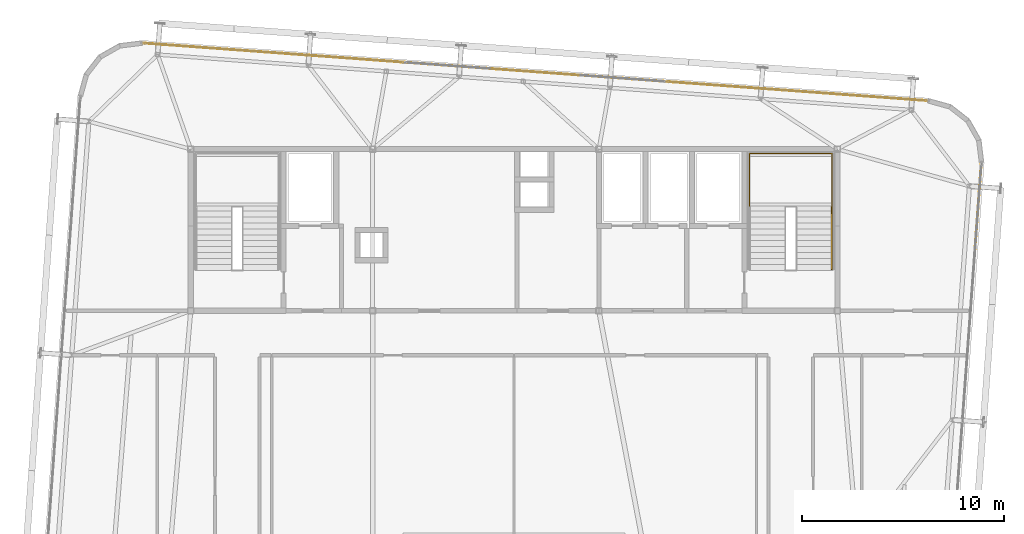
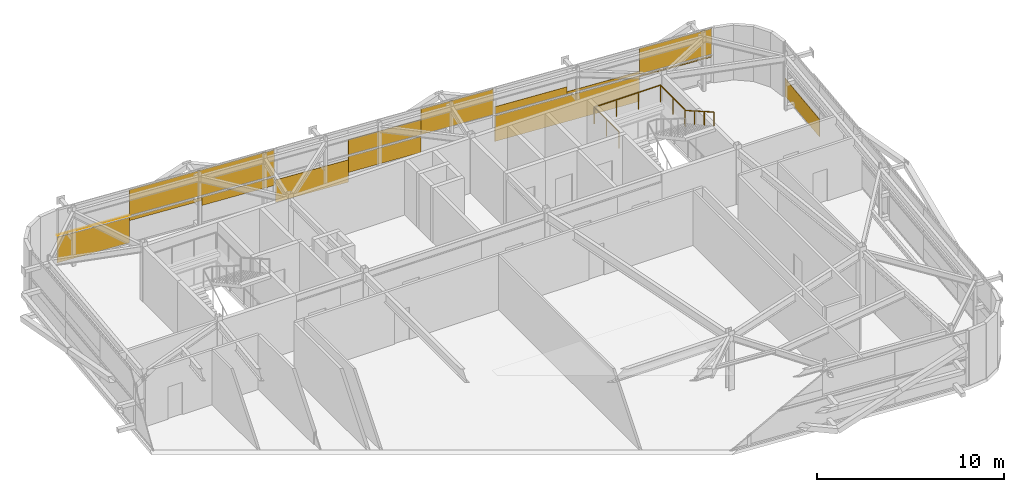
# One storey, part 35 of 35: 15 coverings, 2 railings.
"""IFC4 building model written with IfcOpenShell, lengths in metres."""

from ifc_helpers import new_model, si_unit, direction, frame, origin, origin_2d, place, context, subcontext, project, spatial, rectangle, extrude, source, transform, mapped, material, layer, layer_set, type_object, element, save


model = new_model("IFC4")

# Units and contexts
model_context = context("Model", 3, precision=1e-05, world=origin(), true_north=direction((0.0, 1.0)))
body_context = subcontext(model_context, "Body", "Model", "MODEL_VIEW")
ifc_project = project(units=[si_unit("LENGTHUNIT", "METRE"), si_unit("AREAUNIT", "SQUARE_METRE"), si_unit("VOLUMEUNIT", "CUBIC_METRE"), si_unit("PLANEANGLEUNIT", "RADIAN"), si_unit("MASSUNIT", "GRAM", prefix="KILO")], contexts=[model_context])

# Site, building, storey
site_placement = place(None, origin())
site = spatial("IfcSite", under=ifc_project, at=site_placement, CompositionType="ELEMENT")
building_placement = place(site_placement, origin())
building = spatial("IfcBuilding", under=site, at=building_placement, Name="Taldren Reach Tower", CompositionType="ELEMENT")
storey_placement = place(building_placement, frame((0.0, 0.0, 249.199951171875)))
storey = spatial("IfcBuildingStorey", under=building, at=storey_placement, Name="L76", CompositionType="ELEMENT", Elevation=249.199951171875)

# Railings
ifc_material_1 = material(Name="Steel Gr 350 (C350L0)", Category="steel")
ifc_layer_1 = layer(ifc_material_1, 0.050048828125)
ifc_layer_set_1 = layer_set([ifc_layer_1], Name="Steel Gr 350 (C350L0)")
railing_type_1 = type_object("IfcRailingType", Name="RL-STAIR-GR", PredefinedType="GUARDRAIL", material=ifc_layer_set_1)
railing_1_placement = place(storey_placement, frame((46.659912109375, 29.135009765625, 1.925048828125)))
element("IfcRailing", 1, at=railing_1_placement, inside=storey, type_object=railing_type_1, Name="Stair half-landing perimeter guard ST2-L76", PredefinedType="GUARDRAIL", context=body_context, shape_type="SweptSolid", body=[
    extrude(rectangle(XDim=0.047852, YDim=0.047852, at=origin_2d()), frame((0.0, 0.0, 1.09619140625), z_axis=(0.0, 1.0, 0.0), x_axis=(-1.0, 0.0, 0.0)), (0.0, 0.0, 1.0), 2.64501953125),
    extrude(rectangle(XDim=0.047852, YDim=0.047852, at=origin_2d()), frame((0.0, 2.64501953125, 1.09619140625), z_axis=(1.0, 0.0, 0.0), x_axis=(0.0, 1.0, 0.0)), (0.0, 0.0, 1.0), 4.080078125),
    extrude(rectangle(XDim=0.047852, YDim=0.047852, at=origin_2d()), frame((4.080078125, 2.64501953125, 1.09619140625), z_axis=(0.0, -1.0, 0.0), x_axis=(1.0, 0.0, 0.0)), (0.0, 0.0, 1.0), 2.64501953125),
    extrude(rectangle(XDim=0.041992, YDim=0.041992, at=origin_2d()), origin(), (0.0, 0.0, 1.0), 1.072021484375),
    extrude(rectangle(XDim=0.041992, YDim=0.041992, at=origin_2d()), frame((0.0, 1.322509765625, 0.0)), (0.0, 0.0, 1.0), 1.072021484375),
    extrude(rectangle(XDim=0.041992, YDim=0.041992, at=origin_2d()), frame((0.0, 2.64501953125, 0.0)), (0.0, 0.0, 1.0), 1.072021484375),
    extrude(rectangle(XDim=0.041992, YDim=0.041992, at=origin_2d()), frame((1.360107421875, 2.64501953125, 0.0)), (0.0, 0.0, 1.0), 1.072021484375),
    extrude(rectangle(XDim=0.041992, YDim=0.041992, at=origin_2d()), frame((2.719970703125, 2.64501953125, 0.0)), (0.0, 0.0, 1.0), 1.072021484375),
    extrude(rectangle(XDim=0.041992, YDim=0.041992, at=origin_2d()), frame((4.080078125, 2.64501953125, 0.0)), (0.0, 0.0, 1.0), 1.072021484375),
    extrude(rectangle(XDim=0.041992, YDim=0.041992, at=origin_2d()), frame((4.080078125, 1.322509765625, 0.0)), (0.0, 0.0, 1.0), 1.072021484375),
    extrude(rectangle(XDim=0.041992, YDim=0.041992, at=origin_2d()), frame((4.080078125, 0.0, 0.0)), (0.0, 0.0, 1.0), 1.072021484375),
])
ifc_material_2 = material(Name="Stainless Steel Gr 316", Category="steel")
ifc_layer_2 = layer(ifc_material_2, 0.048095703125)
ifc_layer_set_2 = layer_set([ifc_layer_2], Name="Stainless Steel Gr 316")
railing_type_2 = type_object("IfcRailingType", Name="RL-STAIR-HR", PredefinedType="HANDRAIL", material=ifc_layer_set_2)
railing_2_placement = place(storey_placement, frame((50.72998046875, 29.135009765625, 2.08544921875)))
element("IfcRailing", 2, at=railing_2_placement, inside=storey, type_object=railing_type_2, Name="Stair flight handrail ST2-L76-2", PredefinedType="HANDRAIL", context=body_context, shape_type="SweptSolid", body=[
    extrude(rectangle(XDim=0.047852, YDim=0.047852, at=origin_2d()), frame((0.0, 0.0, 0.89599609375), z_axis=(0.0, -0.868023234622, 0.496523578652), x_axis=(1.0, 0.0, 0.0)), (0.0, 0.0, 1.0), 3.553955078125),
    extrude(rectangle(XDim=0.041992, YDim=0.041992, at=origin_2d()), origin(), (0.0, 0.0, 1.0), 0.871826171875),
    extrude(rectangle(XDim=0.041992, YDim=0.041992, at=origin_2d()), frame((0.0, -1.0283203125, 0.588134765625)), (0.0, 0.0, 1.0), 0.871826171875),
    extrude(rectangle(XDim=0.041992, YDim=0.041992, at=origin_2d()), frame((0.0, -2.056640625, 1.176513671875)), (0.0, 0.0, 1.0), 0.871826171875),
    extrude(rectangle(XDim=0.041992, YDim=0.041992, at=origin_2d()), frame((0.0, -3.0849609375, 1.7646484375)), (0.0, 0.0, 1.0), 0.871826171875),
])

# Coverings
ifc_material_3 = material(Name="Pale Champagne Fluoropolymer Aluminium Spandrel Cladding", Category="aluminium")
ifc_layer_3 = layer(ifc_material_3, 0.0439453125)
ifc_layer_set_3 = layer_set([ifc_layer_3], Name="Pale Champagne Fluoropolymer Aluminium Spandrel Cladding")
covering_type = type_object("IfcCoveringType", Name="CV-CLAD-044", PredefinedType="CLADDING", material=ifc_layer_set_3)
shared_shape_1 = source(origin(), body_context, "Body", "SweptSolid", [
    extrude(rectangle(XDim=4.2958984375, YDim=0.0439453125, at=origin_2d()), origin(), (0.0, 0.0, 1.0), 1.6650390625),
])
for number, where, z_axis, x_axis, name in (
    (3, (18.816162109375, 37.083251953125, 0.06005859375), (0.0, 0.0, 1.0), (-0.997314476006, 0.073238213716, 0.0), "Diagrid closure cladding strip CW-6 panel 3.1 3"),
    (4, (53.277587890625, 34.552490234375, 1.844970703125), (0.0, 0.0, 1.0), (-0.997314476006, 0.073238213716, 0.0), "Diagrid closure cladding strip CW-6 panel 1.1 1"),
):
    element("IfcCovering", number, at=place(storey_placement, frame(where, z_axis=z_axis, x_axis=x_axis)), inside=storey, type_object=covering_type, Name=name, PredefinedType="CLADDING", context=body_context, shape_type="MappedRepresentation", body=[
        mapped(shared_shape_1, transform((0.0, 0.0, 0.0), scale=1.0)),
    ])
shared_shape_2 = source(origin(), body_context, "Body", "SweptSolid", [
    extrude(rectangle(XDim=4.2958984375, YDim=0.0439453125, at=origin_2d()), origin(), (0.0, 0.0, 1.0), 0.219970703125),
])
covering_1_placement = place(storey_placement, frame((23.1005859375, 36.7685546875, 1.5048828125), z_axis=(0.0, 0.0, 1.0), x_axis=(-0.997314476006, 0.073238213716, 0.0)))
element("IfcCovering", 5, at=covering_1_placement, inside=storey, type_object=covering_type, Name="Diagrid closure cladding strip CW-6 panel 3.1 2", PredefinedType="CLADDING", context=body_context, shape_type="MappedRepresentation", body=[
    mapped(shared_shape_2, transform((0.0, 0.0, 0.0), scale=1.0)),
])
shared_shape_3 = source(origin(), body_context, "Body", "SweptSolid", [
    extrude(rectangle(XDim=4.2958984375, YDim=0.0439453125, at=origin_2d()), origin(), (0.0, 0.0, 1.0), 0.53759765625),
])
covering_2_placement = place(storey_placement, frame((27.384765625, 36.4541015625, 1.1875), z_axis=(0.0, 0.0, 1.0), x_axis=(-0.997314476006, 0.073238213716, 0.0)))
element("IfcCovering", 6, at=covering_2_placement, inside=storey, type_object=covering_type, Name="Diagrid closure cladding strip CW-6 panel 3.1 1", PredefinedType="CLADDING", context=body_context, shape_type="MappedRepresentation", body=[
    mapped(shared_shape_3, transform((0.0, 0.0, 0.0), scale=1.0)),
])
shared_shape_4 = source(origin(), body_context, "Body", "SweptSolid", [
    extrude(rectangle(XDim=4.308349609375, YDim=0.0439453125, at=origin_2d()), origin(), (0.0, 0.0, 1.0), 1.4580078125),
])
covering_3_placement = place(storey_placement, frame((31.750244140625, 36.133544921875, 0.06005859375), z_axis=(0.0, 0.0, 1.0), x_axis=(-0.997314476006, 0.073238213716, 0.0)))
element("IfcCovering", 7, at=covering_3_placement, inside=storey, type_object=covering_type, Name="Diagrid closure cladding strip CW-6 panel 2.1 2", PredefinedType="CLADDING", context=body_context, shape_type="MappedRepresentation", body=[
    mapped(shared_shape_4, transform((0.0, 0.0, 0.0), scale=1.0)),
])
shared_shape_5 = source(origin(), body_context, "Body", "SweptSolid", [
    extrude(rectangle(XDim=4.308349609375, YDim=0.0439453125, at=origin_2d()), origin(), (0.0, 0.0, 1.0), 1.03466796875),
])
covering_4_placement = place(storey_placement, frame((36.046875, 35.81787109375, 0.6904296875), z_axis=(0.0, 0.0, 1.0), x_axis=(-0.997314476006, 0.073238213716, 0.0)))
element("IfcCovering", 8, at=covering_4_placement, inside=storey, type_object=covering_type, Name="Diagrid closure cladding strip CW-6 panel 2.1 1", PredefinedType="CLADDING", context=body_context, shape_type="MappedRepresentation", body=[
    mapped(shared_shape_5, transform((0.0, 0.0, 0.0), scale=1.0)),
])
shared_shape_6 = source(origin(), body_context, "Body", "SweptSolid", [
    extrude(rectangle(XDim=8.591552734375, YDim=0.0439453125, at=origin_2d()), origin(), (0.0, 0.0, 1.0), 1.6650390625),
])
for number, where, z_axis, x_axis, name in (
    (9, (46.85107421875, 35.0244140625, 0.06005859375), (0.0, 0.0, 1.0), (-0.997314476006, 0.073238213716, 0.0), "Diagrid closure cladding strip CW-6 panel 1.1 2"),
    (10, (25.24267578125, 36.611328125, 1.844970703125), (0.0, 0.0, 1.0), (-0.997314476006, 0.073238213716, 0.0), "Diagrid closure cladding strip CW-6 panel 3.1 1"),
):
    element("IfcCovering", number, at=place(storey_placement, frame(where, z_axis=z_axis, x_axis=x_axis)), inside=storey, type_object=covering_type, Name=name, PredefinedType="CLADDING", context=body_context, shape_type="MappedRepresentation", body=[
        mapped(shared_shape_6, transform((0.0, 0.0, 0.0), scale=1.0)),
    ])
shared_shape_7 = source(origin(), body_context, "Body", "SweptSolid", [
    extrude(rectangle(XDim=4.2958984375, YDim=0.0439453125, at=origin_2d()), origin(), (0.0, 0.0, 1.0), 0.081298828125),
])
covering_5_placement = place(storey_placement, frame((53.277587890625, 34.552490234375, 1.6435546875), z_axis=(0.0, 0.0, 1.0), x_axis=(-0.997314476006, 0.073238213716, 0.0)))
element("IfcCovering", 11, at=covering_5_placement, inside=storey, type_object=covering_type, Name="Diagrid closure cladding strip CW-6 panel 1.1 1", PredefinedType="CLADDING", context=body_context, shape_type="MappedRepresentation", body=[
    mapped(shared_shape_7, transform((0.0, 0.0, 0.0), scale=1.0)),
])
shared_shape_8 = source(origin(), body_context, "Body", "SweptSolid", [
    extrude(rectangle(XDim=4.2958984375, YDim=0.0439453125, at=origin_2d()), origin(), (0.0, 0.0, 1.0), 0.021240234375),
])
covering_6_placement = place(storey_placement, frame((18.816162109375, 37.083251953125, 1.84521484375), z_axis=(0.0, 0.0, 1.0), x_axis=(-0.997314476006, 0.073238213716, 0.0)))
element("IfcCovering", 12, at=covering_6_placement, inside=storey, type_object=covering_type, Name="Diagrid closure cladding strip CW-6 panel 3.1 2", PredefinedType="CLADDING", context=body_context, shape_type="MappedRepresentation", body=[
    mapped(shared_shape_8, transform((0.0, 0.0, 0.0), scale=1.0)),
])
shared_shape_9 = source(origin(), body_context, "Body", "SweptSolid", [
    extrude(rectangle(XDim=4.308349609375, YDim=0.0439453125, at=origin_2d()), origin(), (0.0, 0.0, 1.0), 0.974853515625),
])
covering_7_placement = place(storey_placement, frame((36.046875, 35.81787109375, 1.84521484375), z_axis=(0.0, 0.0, 1.0), x_axis=(-0.997314476006, 0.073238213716, 0.0)))
element("IfcCovering", 13, at=covering_7_placement, inside=storey, type_object=covering_type, Name="Diagrid closure cladding strip CW-6 panel 2.1 2", PredefinedType="CLADDING", context=body_context, shape_type="MappedRepresentation", body=[
    mapped(shared_shape_9, transform((0.0, 0.0, 0.0), scale=1.0)),
])
shared_shape_10 = source(origin(), body_context, "Body", "SweptSolid", [
    extrude(rectangle(XDim=4.308349609375, YDim=0.0439453125, at=origin_2d()), origin(), (0.0, 0.0, 1.0), 1.6650390625),
])
covering_8_placement = place(storey_placement, frame((40.34375, 35.50244140625, 1.844970703125), z_axis=(0.0, 0.0, 1.0), x_axis=(-0.997314476006, 0.073238213716, 0.0)))
element("IfcCovering", 14, at=covering_8_placement, inside=storey, type_object=covering_type, Name="Diagrid closure cladding strip CW-6 panel 2.1 1", PredefinedType="CLADDING", context=body_context, shape_type="MappedRepresentation", body=[
    mapped(shared_shape_10, transform((0.0, 0.0, 0.0), scale=1.0)),
])
shared_shape_11 = source(origin(), body_context, "Body", "SweptSolid", [
    extrude(rectangle(XDim=4.2958984375, YDim=0.0439453125, at=origin_2d()), origin(), (0.0, 0.0, 1.0), 0.4775390625),
])
covering_9_placement = place(storey_placement, frame((44.708984375, 35.181884765625, 1.844970703125), z_axis=(0.0, 0.0, 1.0), x_axis=(-0.997314476006, 0.073238213716, 0.0)))
element("IfcCovering", 15, at=covering_9_placement, inside=storey, type_object=covering_type, Name="Diagrid closure cladding strip CW-6 panel 1.1 3", PredefinedType="CLADDING", context=body_context, shape_type="MappedRepresentation", body=[
    mapped(shared_shape_11, transform((0.0, 0.0, 0.0), scale=1.0)),
])
shared_shape_12 = source(origin(), body_context, "Body", "SweptSolid", [
    extrude(rectangle(XDim=4.2958984375, YDim=0.0439453125, at=origin_2d()), origin(), (0.0, 0.0, 1.0), 0.16015625),
])
covering_10_placement = place(storey_placement, frame((48.993408203125, 34.8671875, 1.844970703125), z_axis=(0.0, 0.0, 1.0), x_axis=(-0.997314476006, 0.073238213716, 0.0)))
element("IfcCovering", 16, at=covering_10_placement, inside=storey, type_object=covering_type, Name="Diagrid closure cladding strip CW-6 panel 1.1 2", PredefinedType="CLADDING", context=body_context, shape_type="MappedRepresentation", body=[
    mapped(shared_shape_12, transform((0.0, 0.0, 0.0), scale=1.0)),
])
shared_shape_13 = source(origin(), body_context, "Body", "SweptSolid", [
    extrude(rectangle(XDim=4.229248046875, YDim=0.0439453125, at=origin_2d()), origin(), (0.0, 0.0, 1.0), 1.154541015625),
])
covering_11_placement = place(storey_placement, frame((57.97705078125, 29.144287109375, 0.06005859375), z_axis=(0.0, 0.0, 1.0), x_axis=(0.073238282558, 0.997314470951, 0.0)))
element("IfcCovering", 17, at=covering_11_placement, inside=storey, type_object=covering_type, Name="Diagrid closure cladding strip CW-6 panel 2.1 2", PredefinedType="CLADDING", context=body_context, shape_type="MappedRepresentation", body=[
    mapped(shared_shape_13, transform((0.0, 0.0, 0.0), scale=1.0)),
])

save(model, "model.ifc")
